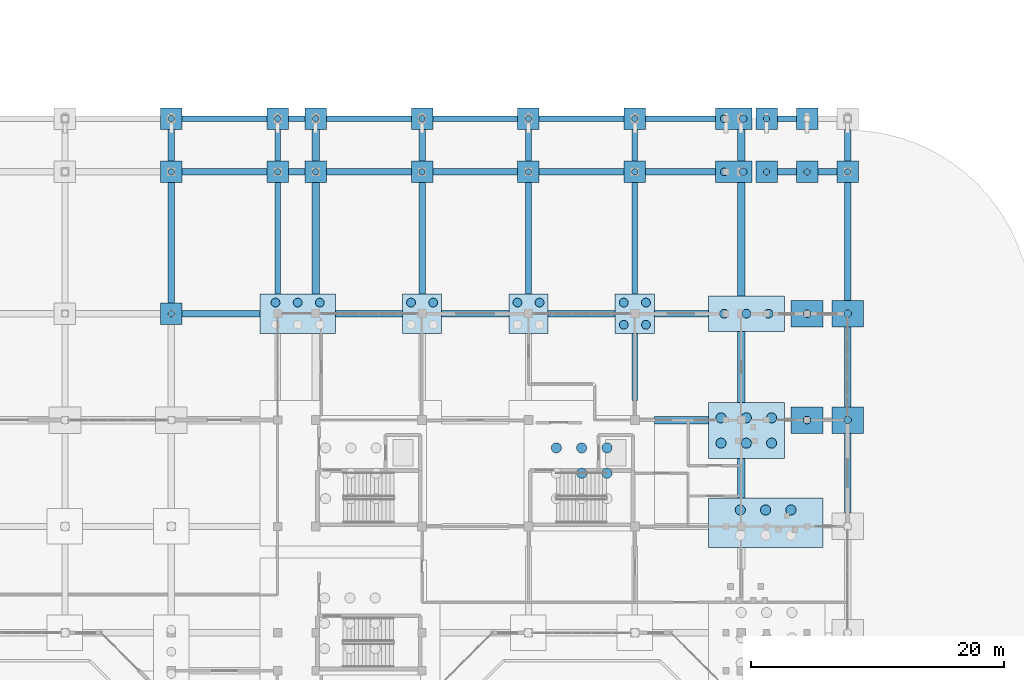
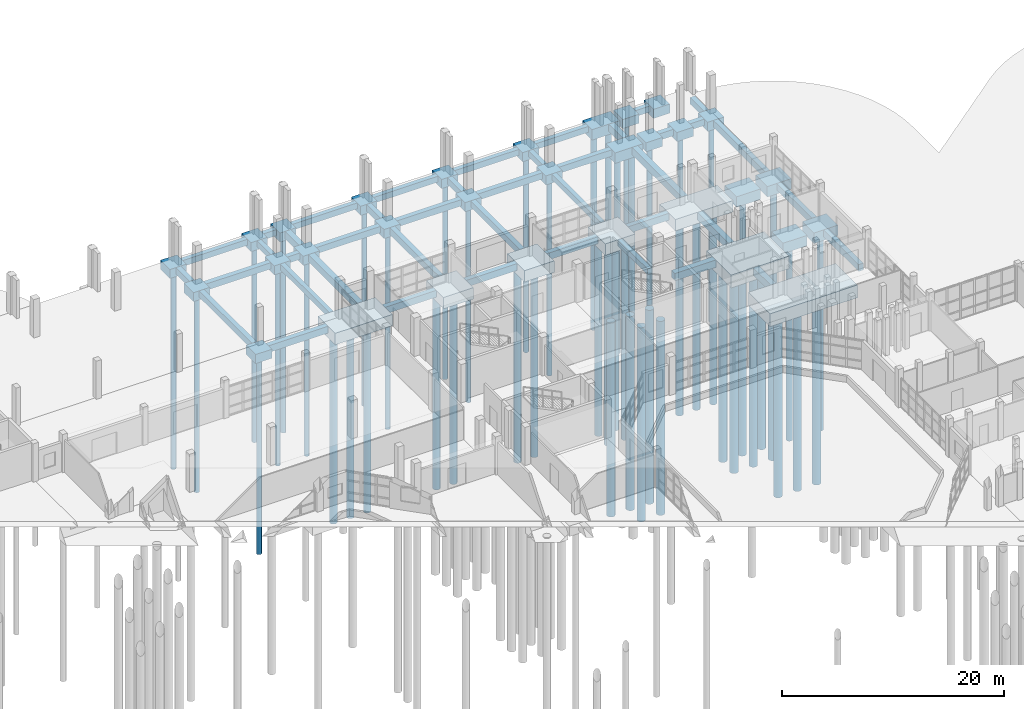
# One storey, part 7 of 88: 73 footings, 53 piles.
"""IFC4 building model written with IfcOpenShell, lengths in metres."""

from ifc_helpers import new_model, si_unit, direction, frame, origin, origin_2d, place, context, subcontext, project, spatial, rectangle, circle, extrude, material, material_profile, profile_set, type_object, element, save


model = new_model("IFC4")

# Units and contexts
model_context = context("Model", 3, precision=1e-05, world=origin(), true_north=direction((0.0, 1.0)))
body_context = subcontext(model_context, "Body", "Model", "MODEL_VIEW")
ifc_project = project(units=[si_unit("LENGTHUNIT", "METRE"), si_unit("AREAUNIT", "SQUARE_METRE"), si_unit("VOLUMEUNIT", "CUBIC_METRE"), si_unit("PLANEANGLEUNIT", "RADIAN"), si_unit("MASSUNIT", "GRAM", prefix="KILO")], contexts=[model_context])

# Site, building, storey
site_placement = place(None, origin())
site = spatial("IfcSite", under=ifc_project, at=site_placement, CompositionType="ELEMENT")
building_placement = place(site_placement, origin())
building = spatial("IfcBuilding", under=site, at=building_placement, Name="Vanh Quang Courtyard School", CompositionType="ELEMENT")
storey_placement = place(building_placement, origin())
storey = spatial("IfcBuildingStorey", under=building, at=storey_placement, Name="L00", CompositionType="ELEMENT", Elevation=0.0)

# Footings
ifc_material_1 = material(Name="Concrete C35/45", Category="concrete")
footing_type_1 = type_object("IfcFootingType", Name="FTG-GB-450x650", PredefinedType="FOOTING_BEAM", material=ifc_material_1)
footing_1_placement = place(storey_placement, frame((70.199951171875, 112.0, -1.050048828125), z_axis=(0.0, 0.0, 1.0), x_axis=(1.0, 0.0, 0.0)))
element("IfcFooting", 1, at=footing_1_placement, inside=storey, type_object=footing_type_1, Name="Footing GB-04 (L00)", PredefinedType="FOOTING_BEAM", context=body_context, shape_type="SweptSolid", body=[
    extrude(rectangle(XDim=6.699951171875, YDim=0.449951171875, at=origin_2d()), origin(), (0.0, 0.0, 1.0), 0.64990234375),
])
footing_2_placement = place(storey_placement, frame((75.89990234375, 112.0, -1.050048828125), z_axis=(0.0, 0.0, 1.0), x_axis=(1.0, 0.0, 0.0)))
element("IfcFooting", 2, at=footing_2_placement, inside=storey, type_object=footing_type_1, Name="Footing GB-04 (L00)", PredefinedType="FOOTING_BEAM", context=body_context, shape_type="SweptSolid", body=[
    extrude(rectangle(XDim=1.300048828125, YDim=0.449951171875, at=origin_2d()), origin(), (0.0, 0.0, 1.0), 0.64990234375),
])
for number, where, z_axis, x_axis, name in (
    (3, (81.60009765625, 112.0, -1.050048828125), (0.0, 0.0, 1.0), (1.0, 0.0, 0.0), "Footing GB-04 (L00)"),
    (4, (90.0, 112.0, -1.050048828125), (0.0, 0.0, 1.0), (1.0, 0.0, 0.0), "Footing GB-04 (L00)"),
    (5, (98.39990234375, 112.0, -1.050048828125), (0.0, 0.0, 1.0), (1.0, 0.0, 0.0), "Footing GB-04 (L00)"),
):
    element("IfcFooting", number, at=place(storey_placement, frame(where, z_axis=z_axis, x_axis=x_axis)), inside=storey, type_object=footing_type_1, Name=name, PredefinedType="FOOTING_BEAM", context=body_context, shape_type="SweptSolid", body=[
        extrude(rectangle(XDim=6.699951171875, YDim=0.449951171875, at=origin_2d()), origin(), (0.0, 0.0, 1.0), 0.64990234375),
    ])
footing_3_placement = place(storey_placement, frame((106.199951171875, 112.0, -1.050048828125), z_axis=(0.0, 0.0, 1.0), x_axis=(1.0, 0.0, 0.0)))
element("IfcFooting", 6, at=footing_3_placement, inside=storey, type_object=footing_type_1, Name="Footing GB-04 (L00)", PredefinedType="FOOTING_BEAM", context=body_context, shape_type="SweptSolid", body=[
    extrude(rectangle(XDim=5.5, YDim=0.449951171875, at=origin_2d()), origin(), (0.0, 0.0, 1.0), 0.64990234375),
])
footing_4_placement = place(storey_placement, frame((114.60009765625, 112.0, -1.050048828125), z_axis=(0.0, 0.0, 1.0), x_axis=(1.0, 0.0, 0.0)))
element("IfcFooting", 7, at=footing_4_placement, inside=storey, type_object=footing_type_1, Name="Footing GB-04 (L00)", PredefinedType="FOOTING_BEAM", context=body_context, shape_type="SweptSolid", body=[
    extrude(rectangle(XDim=1.5, YDim=0.449951171875, at=origin_2d()), origin(), (0.0, 0.0, 1.0), 0.64990234375),
])
footing_5_placement = place(storey_placement, frame((74.39990234375, 102.550048828125, -1.050048828125), z_axis=(0.0, 0.0, 1.0), x_axis=(0.0, 1.0, 0.0)))
element("IfcFooting", 8, at=footing_5_placement, inside=storey, type_object=footing_type_1, Name="Footing GB-04 (L00)", PredefinedType="FOOTING_BEAM", context=body_context, shape_type="SweptSolid", body=[
    extrude(rectangle(XDim=8.800048828125, YDim=0.449951171875, at=origin_2d()), origin(), (0.0, 0.0, 1.0), 0.64990234375),
])
footing_6_placement = place(storey_placement, frame((74.39990234375, 109.89990234375, -1.050048828125), z_axis=(0.0, 0.0, 1.0), x_axis=(0.0, 1.0, 0.0)))
element("IfcFooting", 9, at=footing_6_placement, inside=storey, type_object=footing_type_1, Name="Footing GB-04 (L00)", PredefinedType="FOOTING_BEAM", context=body_context, shape_type="SweptSolid", body=[
    extrude(rectangle(XDim=2.5, YDim=0.449951171875, at=origin_2d()), origin(), (0.0, 0.0, 1.0), 0.64990234375),
])
footing_7_placement = place(storey_placement, frame((102.60009765625, 92.39990234375, -1.050048828125), z_axis=(0.0, 0.0, 1.0), x_axis=(0.0, 1.0, 0.0)))
element("IfcFooting", 10, at=footing_7_placement, inside=storey, type_object=footing_type_1, Name="Footing GB-04 (L00)", PredefinedType="FOOTING_BEAM", context=body_context, shape_type="SweptSolid", body=[
    extrude(rectangle(XDim=5.300048828125, YDim=0.449951171875, at=origin_2d()), origin(), (0.0, 0.0, 1.0), 0.64990234375),
])
footing_8_placement = place(storey_placement, frame((102.60009765625, 102.550048828125, -1.050048828125), z_axis=(0.0, 0.0, 1.0), x_axis=(0.0, 1.0, 0.0)))
element("IfcFooting", 11, at=footing_8_placement, inside=storey, type_object=footing_type_1, Name="Footing GB-04 (L00)", PredefinedType="FOOTING_BEAM", context=body_context, shape_type="SweptSolid", body=[
    extrude(rectangle(XDim=8.800048828125, YDim=0.449951171875, at=origin_2d()), origin(), (0.0, 0.0, 1.0), 0.64990234375),
])
footing_9_placement = place(storey_placement, frame((102.60009765625, 109.89990234375, -1.050048828125), z_axis=(0.0, 0.0, 1.0), x_axis=(0.0, 1.0, 0.0)))
element("IfcFooting", 12, at=footing_9_placement, inside=storey, type_object=footing_type_1, Name="Footing GB-04 (L00)", PredefinedType="FOOTING_BEAM", context=body_context, shape_type="SweptSolid", body=[
    extrude(rectangle(XDim=2.5, YDim=0.449951171875, at=origin_2d()), origin(), (0.0, 0.0, 1.0), 0.64990234375),
])
footing_type_2 = type_object("IfcFootingType", Name="FTG-GB-500x700", PredefinedType="FOOTING_BEAM", material=ifc_material_1)
footing_10_placement = place(storey_placement, frame((70.199951171875, 107.800048828125, -1.10009765625), z_axis=(0.0, 0.0, 1.0), x_axis=(1.0, 0.0, 0.0)))
element("IfcFooting", 13, at=footing_10_placement, inside=storey, type_object=footing_type_2, Name="Footing GB-03 (L00)", PredefinedType="FOOTING_BEAM", context=body_context, shape_type="SweptSolid", body=[
    extrude(rectangle(XDim=6.699951171875, YDim=0.5, at=origin_2d()), origin(), (0.0, 0.0, 1.0), 0.699951171875),
])
footing_11_placement = place(storey_placement, frame((75.89990234375, 107.800048828125, -1.10009765625), z_axis=(0.0, 0.0, 1.0), x_axis=(1.0, 0.0, 0.0)))
element("IfcFooting", 14, at=footing_11_placement, inside=storey, type_object=footing_type_2, Name="Footing GB-03 (L00)", PredefinedType="FOOTING_BEAM", context=body_context, shape_type="SweptSolid", body=[
    extrude(rectangle(XDim=1.300048828125, YDim=0.5, at=origin_2d()), origin(), (0.0, 0.0, 1.0), 0.699951171875),
])
for number, where, z_axis, x_axis, name in (
    (15, (81.60009765625, 107.800048828125, -1.10009765625), (0.0, 0.0, 1.0), (1.0, 0.0, 0.0), "Footing GB-03 (L00)"),
    (16, (90.0, 107.800048828125, -1.10009765625), (0.0, 0.0, 1.0), (1.0, 0.0, 0.0), "Footing GB-03 (L00)"),
    (17, (98.39990234375, 107.800048828125, -1.10009765625), (0.0, 0.0, 1.0), (1.0, 0.0, 0.0), "Footing GB-03 (L00)"),
):
    element("IfcFooting", number, at=place(storey_placement, frame(where, z_axis=z_axis, x_axis=x_axis)), inside=storey, type_object=footing_type_2, Name=name, PredefinedType="FOOTING_BEAM", context=body_context, shape_type="SweptSolid", body=[
        extrude(rectangle(XDim=6.699951171875, YDim=0.5, at=origin_2d()), origin(), (0.0, 0.0, 1.0), 0.699951171875),
    ])
footing_12_placement = place(storey_placement, frame((106.199951171875, 107.800048828125, -1.10009765625), z_axis=(0.0, 0.0, 1.0), x_axis=(1.0, 0.0, 0.0)))
element("IfcFooting", 18, at=footing_12_placement, inside=storey, type_object=footing_type_2, Name="Footing GB-03 (L00)", PredefinedType="FOOTING_BEAM", context=body_context, shape_type="SweptSolid", body=[
    extrude(rectangle(XDim=5.5, YDim=0.5, at=origin_2d()), origin(), (0.0, 0.0, 1.0), 0.699951171875),
])
for number, where, z_axis, x_axis, name in (
    (19, (114.60009765625, 107.800048828125, -1.10009765625), (0.0, 0.0, 1.0), (1.0, 0.0, 0.0), "Footing GB-03 (L00)"),
    (20, (117.800048828125, 107.800048828125, -1.10009765625), (0.0, 0.0, 1.0), (1.0, 0.0, 0.0), "Footing GB-03 (L00)"),
):
    element("IfcFooting", number, at=place(storey_placement, frame(where, z_axis=z_axis, x_axis=x_axis)), inside=storey, type_object=footing_type_2, Name=name, PredefinedType="FOOTING_BEAM", context=body_context, shape_type="SweptSolid", body=[
        extrude(rectangle(XDim=1.5, YDim=0.5, at=origin_2d()), origin(), (0.0, 0.0, 1.0), 0.699951171875),
    ])
footing_13_placement = place(storey_placement, frame((66.0, 102.199951171875, -1.10009765625), z_axis=(0.0, 0.0, 1.0), x_axis=(0.0, 1.0, 0.0)))
element("IfcFooting", 21, at=footing_13_placement, inside=storey, type_object=footing_type_2, Name="Footing GB-03 (L00)", PredefinedType="FOOTING_BEAM", context=body_context, shape_type="SweptSolid", body=[
    extrude(rectangle(XDim=9.5, YDim=0.5, at=origin_2d()), origin(), (0.0, 0.0, 1.0), 0.699951171875),
])
footing_14_placement = place(storey_placement, frame((66.0, 109.89990234375, -1.10009765625), z_axis=(0.0, 0.0, 1.0), x_axis=(0.0, 1.0, 0.0)))
element("IfcFooting", 22, at=footing_14_placement, inside=storey, type_object=footing_type_2, Name="Footing GB-03 (L00)", PredefinedType="FOOTING_BEAM", context=body_context, shape_type="SweptSolid", body=[
    extrude(rectangle(XDim=2.5, YDim=0.5, at=origin_2d()), origin(), (0.0, 0.0, 1.0), 0.699951171875),
])
footing_15_placement = place(storey_placement, frame((94.199951171875, 102.550048828125, -1.10009765625), z_axis=(0.0, 0.0, 1.0), x_axis=(0.0, 1.0, 0.0)))
element("IfcFooting", 23, at=footing_15_placement, inside=storey, type_object=footing_type_2, Name="Footing GB-03 (L00)", PredefinedType="FOOTING_BEAM", context=body_context, shape_type="SweptSolid", body=[
    extrude(rectangle(XDim=8.800048828125, YDim=0.5, at=origin_2d()), origin(), (0.0, 0.0, 1.0), 0.699951171875),
])
footing_16_placement = place(storey_placement, frame((94.199951171875, 109.89990234375, -1.10009765625), z_axis=(0.0, 0.0, 1.0), x_axis=(0.0, 1.0, 0.0)))
element("IfcFooting", 24, at=footing_16_placement, inside=storey, type_object=footing_type_2, Name="Footing GB-03 (L00)", PredefinedType="FOOTING_BEAM", context=body_context, shape_type="SweptSolid", body=[
    extrude(rectangle(XDim=2.5, YDim=0.5, at=origin_2d()), origin(), (0.0, 0.0, 1.0), 0.699951171875),
])
footing_type_3 = type_object("IfcFootingType", Name="FTG-GB-500x750", PredefinedType="FOOTING_BEAM", material=ifc_material_1)
footing_17_placement = place(storey_placement, frame((69.925048828125, 96.60009765625, -1.14990234375), z_axis=(0.0, 0.0, 1.0), x_axis=(1.0, 0.0, 0.0)))
element("IfcFooting", 25, at=footing_17_placement, inside=storey, type_object=footing_type_3, Name="Footing GB-02 (L00)", PredefinedType="FOOTING_BEAM", context=body_context, shape_type="SweptSolid", body=[
    extrude(rectangle(XDim=6.14990234375, YDim=0.5, at=origin_2d()), origin(), (0.0, 0.0, 1.0), 0.75),
])
for number, where, z_axis, x_axis, name in (
    (26, (81.60009765625, 96.60009765625, -1.14990234375), (0.0, 0.0, 1.0), (1.0, 0.0, 0.0), "Footing GB-02 (L00)"),
    (27, (90.0, 96.60009765625, -1.14990234375), (0.0, 0.0, 1.0), (1.0, 0.0, 0.0), "Footing GB-02 (L00)"),
    (28, (98.39990234375, 96.60009765625, -1.14990234375), (0.0, 0.0, 1.0), (1.0, 0.0, 0.0), "Footing GB-02 (L00)"),
):
    element("IfcFooting", number, at=place(storey_placement, frame(where, z_axis=z_axis, x_axis=x_axis)), inside=storey, type_object=footing_type_3, Name=name, PredefinedType="FOOTING_BEAM", context=body_context, shape_type="SweptSolid", body=[
        extrude(rectangle(XDim=5.300048828125, YDim=0.5, at=origin_2d()), origin(), (0.0, 0.0, 1.0), 0.75),
    ])
footing_18_placement = place(storey_placement, frame((106.27490234375, 96.60009765625, -1.14990234375), z_axis=(0.0, 0.0, 1.0), x_axis=(1.0, 0.0, 0.0)))
element("IfcFooting", 29, at=footing_18_placement, inside=storey, type_object=footing_type_3, Name="Footing GB-02 (L00)", PredefinedType="FOOTING_BEAM", context=body_context, shape_type="SweptSolid", body=[
    extrude(rectangle(XDim=4.25, YDim=0.5, at=origin_2d()), origin(), (0.0, 0.0, 1.0), 0.75),
])
footing_19_placement = place(storey_placement, frame((85.800048828125, 102.550048828125, -1.14990234375), z_axis=(0.0, 0.0, 1.0), x_axis=(0.0, 1.0, 0.0)))
element("IfcFooting", 30, at=footing_19_placement, inside=storey, type_object=footing_type_3, Name="Footing GB-02 (L00)", PredefinedType="FOOTING_BEAM", context=body_context, shape_type="SweptSolid", body=[
    extrude(rectangle(XDim=8.800048828125, YDim=0.5, at=origin_2d()), origin(), (0.0, 0.0, 1.0), 0.75),
])
footing_20_placement = place(storey_placement, frame((85.800048828125, 109.89990234375, -1.14990234375), z_axis=(0.0, 0.0, 1.0), x_axis=(0.0, 1.0, 0.0)))
element("IfcFooting", 31, at=footing_20_placement, inside=storey, type_object=footing_type_3, Name="Footing GB-02 (L00)", PredefinedType="FOOTING_BEAM", context=body_context, shape_type="SweptSolid", body=[
    extrude(rectangle(XDim=2.5, YDim=0.5, at=origin_2d()), origin(), (0.0, 0.0, 1.0), 0.75),
])
for number, where, z_axis, x_axis, name in (
    (32, (119.39990234375, 84.0, -1.14990234375), (0.0, 0.0, 1.0), (0.0, 1.0, 0.0), "Footing GB-02 (L00)"),
    (33, (119.39990234375, 92.39990234375, -1.14990234375), (0.0, 0.0, 1.0), (0.0, 1.0, 0.0), "Footing GB-02 (L00)"),
):
    element("IfcFooting", number, at=place(storey_placement, frame(where, z_axis=z_axis, x_axis=x_axis)), inside=storey, type_object=footing_type_3, Name=name, PredefinedType="FOOTING_BEAM", context=body_context, shape_type="SweptSolid", body=[
        extrude(rectangle(XDim=6.300048828125, YDim=0.5, at=origin_2d()), origin(), (0.0, 0.0, 1.0), 0.75),
    ])
footing_21_placement = place(storey_placement, frame((119.39990234375, 102.300048828125, -1.14990234375), z_axis=(0.0, 0.0, 1.0), x_axis=(0.0, 1.0, 0.0)))
element("IfcFooting", 34, at=footing_21_placement, inside=storey, type_object=footing_type_3, Name="Footing GB-02 (L00)", PredefinedType="FOOTING_BEAM", context=body_context, shape_type="SweptSolid", body=[
    extrude(rectangle(XDim=9.300048828125, YDim=0.5, at=origin_2d()), origin(), (0.0, 0.0, 1.0), 0.75),
])
footing_22_placement = place(storey_placement, frame((119.39990234375, 109.89990234375, -1.14990234375), z_axis=(0.0, 0.0, 1.0), x_axis=(0.0, 1.0, 0.0)))
element("IfcFooting", 35, at=footing_22_placement, inside=storey, type_object=footing_type_3, Name="Footing GB-02 (L00)", PredefinedType="FOOTING_BEAM", context=body_context, shape_type="SweptSolid", body=[
    extrude(rectangle(XDim=2.5, YDim=0.5, at=origin_2d()), origin(), (0.0, 0.0, 1.0), 0.75),
])
footing_type_4 = type_object("IfcFootingType", Name="FTG-GB-600x800", PredefinedType="FOOTING_BEAM", material=ifc_material_1)
footing_23_placement = place(storey_placement, frame((106.27490234375, 88.199951171875, -1.2001953125), z_axis=(0.0, 0.0, 1.0), x_axis=(1.0, 0.0, 0.0)))
element("IfcFooting", 36, at=footing_23_placement, inside=storey, type_object=footing_type_4, Name="Footing GB-01 (L00)", PredefinedType="FOOTING_BEAM", context=body_context, shape_type="SweptSolid", body=[
    extrude(rectangle(XDim=4.25, YDim=0.60009765625, at=origin_2d()), origin(), (0.0, 0.0, 1.0), 0.800048828125),
])
footing_24_placement = place(storey_placement, frame((77.39990234375, 102.550048828125, -1.2001953125), z_axis=(0.0, 0.0, 1.0), x_axis=(0.0, 1.0, 0.0)))
element("IfcFooting", 37, at=footing_24_placement, inside=storey, type_object=footing_type_4, Name="Footing GB-01 (L00)", PredefinedType="FOOTING_BEAM", context=body_context, shape_type="SweptSolid", body=[
    extrude(rectangle(XDim=8.800048828125, YDim=0.60009765625, at=origin_2d()), origin(), (0.0, 0.0, 1.0), 0.800048828125),
])
footing_25_placement = place(storey_placement, frame((77.39990234375, 109.89990234375, -1.2001953125), z_axis=(0.0, 0.0, 1.0), x_axis=(0.0, 1.0, 0.0)))
element("IfcFooting", 38, at=footing_25_placement, inside=storey, type_object=footing_type_4, Name="Footing GB-01 (L00)", PredefinedType="FOOTING_BEAM", context=body_context, shape_type="SweptSolid", body=[
    extrude(rectangle(XDim=2.5, YDim=0.60009765625, at=origin_2d()), origin(), (0.0, 0.0, 1.0), 0.800048828125),
])
footing_26_placement = place(storey_placement, frame((111.0, 83.60009765625, -1.2001953125), z_axis=(0.0, 0.0, 1.0), x_axis=(0.0, 1.0, 0.0)))
element("IfcFooting", 39, at=footing_26_placement, inside=storey, type_object=footing_type_4, Name="Footing GB-01 (L00)", PredefinedType="FOOTING_BEAM", context=body_context, shape_type="SweptSolid", body=[
    extrude(rectangle(XDim=3.10009765625, YDim=0.60009765625, at=origin_2d()), origin(), (0.0, 0.0, 1.0), 0.800048828125),
])
footing_27_placement = place(storey_placement, frame((111.0, 92.39990234375, -1.2001953125), z_axis=(0.0, 0.0, 1.0), x_axis=(0.0, 1.0, 0.0)))
element("IfcFooting", 40, at=footing_27_placement, inside=storey, type_object=footing_type_4, Name="Footing GB-01 (L00)", PredefinedType="FOOTING_BEAM", context=body_context, shape_type="SweptSolid", body=[
    extrude(rectangle(XDim=5.60009765625, YDim=0.60009765625, at=origin_2d()), origin(), (0.0, 0.0, 1.0), 0.800048828125),
])
footing_28_placement = place(storey_placement, frame((111.0, 102.47509765625, -1.2001953125), z_axis=(0.0, 0.0, 1.0), x_axis=(0.0, 1.0, 0.0)))
element("IfcFooting", 41, at=footing_28_placement, inside=storey, type_object=footing_type_4, Name="Footing GB-01 (L00)", PredefinedType="FOOTING_BEAM", context=body_context, shape_type="SweptSolid", body=[
    extrude(rectangle(XDim=8.949951171875, YDim=0.60009765625, at=origin_2d()), origin(), (0.0, 0.0, 1.0), 0.800048828125),
])
footing_29_placement = place(storey_placement, frame((111.0, 109.89990234375, -1.2001953125), z_axis=(0.0, 0.0, 1.0), x_axis=(0.0, 1.0, 0.0)))
element("IfcFooting", 42, at=footing_29_placement, inside=storey, type_object=footing_type_4, Name="Footing GB-01 (L00)", PredefinedType="FOOTING_BEAM", context=body_context, shape_type="SweptSolid", body=[
    extrude(rectangle(XDim=2.5, YDim=0.60009765625, at=origin_2d()), origin(), (0.0, 0.0, 1.0), 0.800048828125),
])
footing_type_5 = type_object("IfcFootingType", Name="FTG-PC-01", PredefinedType="PILE_CAP", material=ifc_material_1)
for number, where, z_axis, x_axis, name in (
    (43, (66.0, 96.60009765625, -1.39990234375), (0.0, 0.0, 1.0), (1.0, 0.0, 0.0), "Footing PC-01 (L00)"),
    (44, (66.0, 107.800048828125, -1.39990234375), (0.0, 0.0, 1.0), (1.0, 0.0, 0.0), "Footing PC-01 (L00)"),
    (45, (74.39990234375, 107.800048828125, -1.39990234375), (0.0, 0.0, 1.0), (1.0, 0.0, 0.0), "Footing PC-01 (L00)"),
    (46, (77.39990234375, 107.800048828125, -1.39990234375), (0.0, 0.0, 1.0), (1.0, 0.0, 0.0), "Footing PC-01 (L00)"),
    (47, (85.800048828125, 107.800048828125, -1.39990234375), (0.0, 0.0, 1.0), (1.0, 0.0, 0.0), "Footing PC-01 (L00)"),
    (48, (94.199951171875, 107.800048828125, -1.39990234375), (0.0, 0.0, 1.0), (1.0, 0.0, 0.0), "Footing PC-01 (L00)"),
    (49, (102.60009765625, 107.800048828125, -1.39990234375), (0.0, 0.0, 1.0), (1.0, 0.0, 0.0), "Footing PC-01 (L00)"),
    (50, (113.0, 107.800048828125, -1.39990234375), (0.0, 0.0, 1.0), (1.0, 0.0, 0.0), "Footing PC-01 (L00)"),
    (51, (116.199951171875, 107.800048828125, -1.39990234375), (0.0, 0.0, 1.0), (1.0, 0.0, 0.0), "Footing PC-01 (L00)"),
    (52, (119.39990234375, 107.800048828125, -1.39990234375), (0.0, 0.0, 1.0), (1.0, 0.0, 0.0), "Footing PC-01 (L00)"),
    (53, (66.0, 112.0, -1.39990234375), (0.0, 0.0, 1.0), (1.0, 0.0, 0.0), "Footing PC-01 (L00)"),
    (54, (74.39990234375, 112.0, -1.39990234375), (0.0, 0.0, 1.0), (1.0, 0.0, 0.0), "Footing PC-01 (L00)"),
    (55, (77.39990234375, 112.0, -1.39990234375), (0.0, 0.0, 1.0), (1.0, 0.0, 0.0), "Footing PC-01 (L00)"),
    (56, (85.800048828125, 112.0, -1.39990234375), (0.0, 0.0, 1.0), (1.0, 0.0, 0.0), "Footing PC-01 (L00)"),
    (57, (94.199951171875, 112.0, -1.39990234375), (0.0, 0.0, 1.0), (1.0, 0.0, 0.0), "Footing PC-01 (L00)"),
    (58, (102.60009765625, 112.0, -1.39990234375), (0.0, 0.0, 1.0), (1.0, 0.0, 0.0), "Footing PC-01 (L00)"),
    (59, (113.0, 112.0, -1.39990234375), (0.0, 0.0, 1.0), (1.0, 0.0, 0.0), "Footing PC-01 (L00)"),
    (60, (116.199951171875, 112.0, -1.39990234375), (0.0, 0.0, 1.0), (1.0, 0.0, 0.0), "Footing PC-01 (L00)"),
):
    element("IfcFooting", number, at=place(storey_placement, frame(where, z_axis=z_axis, x_axis=x_axis)), inside=storey, type_object=footing_type_5, Name=name, PredefinedType="PILE_CAP", context=body_context, shape_type="SweptSolid", body=[
        extrude(rectangle(XDim=1.699951171875, YDim=1.699951171875, at=origin_2d()), origin(), (0.0, 0.0, 1.0), 1.0),
    ])
footing_type_6 = type_object("IfcFootingType", Name="FTG-PC-02", PredefinedType="PILE_CAP", material=ifc_material_1)
for number, where, z_axis, x_axis, name in (
    (61, (110.39990234375, 107.800048828125, -1.550048828125), (0.0, 0.0, 1.0), (1.0, 0.0, 0.0), "Footing PC-02 (L00)"),
    (62, (110.39990234375, 112.0, -1.550048828125), (0.0, 0.0, 1.0), (1.0, 0.0, 0.0), "Footing PC-02 (L00)"),
):
    element("IfcFooting", number, at=place(storey_placement, frame(where, z_axis=z_axis, x_axis=x_axis)), inside=storey, type_object=footing_type_6, Name=name, PredefinedType="PILE_CAP", context=body_context, shape_type="SweptSolid", body=[
        extrude(rectangle(XDim=2.89990234375, YDim=1.699951171875, at=origin_2d()), origin(), (0.0, 0.0, 1.0), 1.14990234375),
    ])
footing_type_7 = type_object("IfcFootingType", Name="FTG-PC-03", PredefinedType="PILE_CAP", material=ifc_material_1)
for number, where, z_axis, x_axis, name in (
    (63, (116.199951171875, 88.199951171875, -1.550048828125), (0.0, 0.0, 1.0), (1.0, 0.0, 0.0), "Footing PC-03 (L00)"),
    (64, (119.39990234375, 88.199951171875, -1.550048828125), (0.0, 0.0, 1.0), (1.0, 0.0, 0.0), "Footing PC-03 (L00)"),
    (65, (116.199951171875, 96.60009765625, -1.550048828125), (0.0, 0.0, 1.0), (1.0, 0.0, 0.0), "Footing PC-03 (L00)"),
    (66, (119.39990234375, 96.60009765625, -1.550048828125), (0.0, 0.0, 1.0), (1.0, 0.0, 0.0), "Footing PC-03 (L00)"),
):
    element("IfcFooting", number, at=place(storey_placement, frame(where, z_axis=z_axis, x_axis=x_axis)), inside=storey, type_object=footing_type_7, Name=name, PredefinedType="PILE_CAP", context=body_context, shape_type="SweptSolid", body=[
        extrude(rectangle(XDim=2.5, YDim=2.10009765625, at=origin_2d()), origin(), (0.0, 0.0, 1.0), 1.14990234375),
    ])
footing_type_8 = type_object("IfcFootingType", Name="FTG-PC-25", PredefinedType="PILE_CAP", material=ifc_material_1)
footing_30_placement = place(storey_placement, frame((112.925048828125, 80.10009765625, -1.800048828125), z_axis=(0.0, 0.0, 1.0), x_axis=(1.0, 0.0, 0.0)))
element("IfcFooting", 67, at=footing_30_placement, inside=storey, type_object=footing_type_8, Name="Footing PC-25 (L00)", PredefinedType="PILE_CAP", context=body_context, shape_type="SweptSolid", body=[
    extrude(rectangle(XDim=9.050048828125, YDim=3.89990234375, at=origin_2d()), origin(), (0.0, 0.0, 1.0), 1.39990234375),
])
footing_type_9 = type_object("IfcFootingType", Name="FTG-PC-28", PredefinedType="PILE_CAP", material=ifc_material_1)
footing_31_placement = place(storey_placement, frame((111.39990234375, 87.375, -1.800048828125), z_axis=(0.0, 0.0, 1.0), x_axis=(1.0, 0.0, 0.0)))
element("IfcFooting", 68, at=footing_31_placement, inside=storey, type_object=footing_type_9, Name="Footing PC-28 (L00)", PredefinedType="PILE_CAP", context=body_context, shape_type="SweptSolid", body=[
    extrude(rectangle(XDim=6.0, YDim=4.449951171875, at=origin_2d()), origin(), (0.0, 0.0, 1.0), 1.39990234375),
])
footing_type_10 = type_object("IfcFootingType", Name="FTG-PC-29", PredefinedType="PILE_CAP", material=ifc_material_1)
footing_32_placement = place(storey_placement, frame((75.97509765625, 96.60009765625, -1.64990234375), z_axis=(0.0, 0.0, 1.0), x_axis=(1.0, 0.0, 0.0)))
element("IfcFooting", 69, at=footing_32_placement, inside=storey, type_object=footing_type_10, Name="Footing PC-29 (L00)", PredefinedType="PILE_CAP", context=body_context, shape_type="SweptSolid", body=[
    extrude(rectangle(XDim=5.949951171875, YDim=3.10009765625, at=origin_2d()), origin(), (0.0, 0.0, 1.0), 1.25),
])
footing_type_11 = type_object("IfcFootingType", Name="FTG-PC-30", PredefinedType="PILE_CAP", material=ifc_material_1)
for number, where, z_axis, x_axis, name in (
    (70, (85.800048828125, 96.60009765625, -1.64990234375), (0.0, 0.0, 1.0), (1.0, 0.0, 0.0), "Footing PC-30 (L00)"),
    (71, (94.199951171875, 96.60009765625, -1.64990234375), (0.0, 0.0, 1.0), (1.0, 0.0, 0.0), "Footing PC-30 (L00)"),
    (72, (102.60009765625, 96.60009765625, -1.64990234375), (0.0, 0.0, 1.0), (1.0, 0.0, 0.0), "Footing PC-30 (L00)"),
):
    element("IfcFooting", number, at=place(storey_placement, frame(where, z_axis=z_axis, x_axis=x_axis)), inside=storey, type_object=footing_type_11, Name=name, PredefinedType="PILE_CAP", context=body_context, shape_type="SweptSolid", body=[
        extrude(rectangle(XDim=3.10009765625, YDim=3.10009765625, at=origin_2d()), origin(), (0.0, 0.0, 1.0), 1.25),
    ])
footing_type_12 = type_object("IfcFootingType", Name="FTG-PC-31", PredefinedType="PILE_CAP", material=ifc_material_1)
footing_33_placement = place(storey_placement, frame((111.39990234375, 96.60009765625, -1.64990234375), z_axis=(0.0, 0.0, 1.0), x_axis=(1.0, 0.0, 0.0)))
element("IfcFooting", 73, at=footing_33_placement, inside=storey, type_object=footing_type_12, Name="Footing PC-31 (L00)", PredefinedType="PILE_CAP", context=body_context, shape_type="SweptSolid", body=[
    extrude(rectangle(XDim=6.0, YDim=2.800048828125, at=origin_2d()), origin(), (0.0, 0.0, 1.0), 1.25),
])

# Piles
ifc_material_2 = material(Name="Concrete C30/37", Category="concrete")
ifc_material_profile_1 = material_profile(ifc_material_2, circle(Radius=0.25, at=origin_2d()), Name="PILE D500")
ifc_profile_set_1 = profile_set([ifc_material_profile_1], Name="Concrete C30/37")
pile_type_1 = type_object("IfcPileType", Name="PILE-BORED-500", PredefinedType="BORED", material=ifc_profile_set_1)
for number, where, z_axis, x_axis, name in (
    (74, (66.0, 96.60009765625, -1.300048828125), (0.0, 0.0, -1.0), (1.0, 0.0, 0.0), "Bored Pile BP-01 (L00)"),
    (75, (66.0, 107.800048828125, -1.300048828125), (0.0, 0.0, -1.0), (1.0, 0.0, 0.0), "Bored Pile BP-01 (L00)"),
    (76, (74.39990234375, 107.800048828125, -1.300048828125), (0.0, 0.0, -1.0), (1.0, 0.0, 0.0), "Bored Pile BP-01 (L00)"),
    (77, (77.39990234375, 107.800048828125, -1.300048828125), (0.0, 0.0, -1.0), (1.0, 0.0, 0.0), "Bored Pile BP-01 (L00)"),
    (78, (85.800048828125, 107.800048828125, -1.300048828125), (0.0, 0.0, -1.0), (1.0, 0.0, 0.0), "Bored Pile BP-01 (L00)"),
    (79, (94.199951171875, 107.800048828125, -1.300048828125), (0.0, 0.0, -1.0), (1.0, 0.0, 0.0), "Bored Pile BP-01 (L00)"),
    (80, (102.60009765625, 107.800048828125, -1.300048828125), (0.0, 0.0, -1.0), (1.0, 0.0, 0.0), "Bored Pile BP-01 (L00)"),
    (81, (113.0, 107.800048828125, -1.300048828125), (0.0, 0.0, -1.0), (1.0, 0.0, 0.0), "Bored Pile BP-01 (L00)"),
    (82, (116.199951171875, 107.800048828125, -1.300048828125), (0.0, 0.0, -1.0), (1.0, 0.0, 0.0), "Bored Pile BP-01 (L00)"),
    (83, (119.39990234375, 107.800048828125, -1.300048828125), (0.0, 0.0, -1.0), (1.0, 0.0, 0.0), "Bored Pile BP-01 (L00)"),
    (84, (66.0, 112.0, -1.300048828125), (0.0, 0.0, -1.0), (1.0, 0.0, 0.0), "Bored Pile BP-01 (L00)"),
    (85, (74.39990234375, 112.0, -1.300048828125), (0.0, 0.0, -1.0), (1.0, 0.0, 0.0), "Bored Pile BP-01 (L00)"),
    (86, (77.39990234375, 112.0, -1.300048828125), (0.0, 0.0, -1.0), (1.0, 0.0, 0.0), "Bored Pile BP-01 (L00)"),
    (87, (85.800048828125, 112.0, -1.300048828125), (0.0, 0.0, -1.0), (1.0, 0.0, 0.0), "Bored Pile BP-01 (L00)"),
    (88, (94.199951171875, 112.0, -1.300048828125), (0.0, 0.0, -1.0), (1.0, 0.0, 0.0), "Bored Pile BP-01 (L00)"),
    (89, (102.60009765625, 112.0, -1.300048828125), (0.0, 0.0, -1.0), (1.0, 0.0, 0.0), "Bored Pile BP-01 (L00)"),
    (90, (113.0, 112.0, -1.300048828125), (0.0, 0.0, -1.0), (1.0, 0.0, 0.0), "Bored Pile BP-01 (L00)"),
):
    element("IfcPile", number, at=place(storey_placement, frame(where, z_axis=z_axis, x_axis=x_axis)), inside=storey, type_object=pile_type_1, Name=name, PredefinedType="BORED", context=body_context, shape_type="SweptSolid", body=[
        extrude(circle(Radius=0.25, at=origin_2d()), origin(), (0.0, 0.0, 1.0), 21.699951171875),
    ])
ifc_material_profile_2 = material_profile(ifc_material_2, circle(Radius=0.300048828125, at=origin_2d()), Name="PILE D600")
ifc_profile_set_2 = profile_set([ifc_material_profile_2], Name="Concrete C30/37")
pile_type_2 = type_object("IfcPileType", Name="PILE-BORED-600", PredefinedType="BORED", material=ifc_profile_set_2)
for number, where, z_axis, x_axis, name in (
    (91, (116.199951171875, 88.199951171875, -1.449951171875), (0.0, 0.0, -1.0), (1.0, 0.0, 0.0), "Bored Pile BP-02 (L00)"),
    (92, (119.39990234375, 88.199951171875, -1.449951171875), (0.0, 0.0, -1.0), (1.0, 0.0, 0.0), "Bored Pile BP-02 (L00)"),
    (93, (116.199951171875, 96.60009765625, -1.449951171875), (0.0, 0.0, -1.0), (1.0, 0.0, 0.0), "Bored Pile BP-02 (L00)"),
    (94, (119.39990234375, 96.60009765625, -1.449951171875), (0.0, 0.0, -1.0), (1.0, 0.0, 0.0), "Bored Pile BP-02 (L00)"),
    (95, (109.64990234375, 107.800048828125, -1.449951171875), (0.0, 0.0, -1.0), (1.0, 0.0, 0.0), "Bored Pile BP-02 (L00)"),
    (96, (111.14990234375, 107.800048828125, -1.449951171875), (0.0, 0.0, -1.0), (1.0, 0.0, 0.0), "Bored Pile BP-02 (L00)"),
    (97, (109.64990234375, 112.0, -1.449951171875), (0.0, 0.0, -1.0), (1.0, 0.0, 0.0), "Bored Pile BP-02 (L00)"),
    (98, (111.14990234375, 112.0, -1.449951171875), (0.0, 0.0, -1.0), (1.0, 0.0, 0.0), "Bored Pile BP-02 (L00)"),
):
    element("IfcPile", number, at=place(storey_placement, frame(where, z_axis=z_axis, x_axis=x_axis)), inside=storey, type_object=pile_type_2, Name=name, PredefinedType="BORED", context=body_context, shape_type="SweptSolid", body=[
        extrude(circle(Radius=0.300048828125, at=origin_2d()), origin(), (0.0, 0.0, 1.0), 21.550048828125),
    ])
ifc_material_profile_3 = material_profile(ifc_material_2, circle(Radius=0.35009765625, at=origin_2d()), Name="PILE D700")
ifc_profile_set_3 = profile_set([ifc_material_profile_3], Name="Concrete C30/37")
pile_type_3 = type_object("IfcPileType", Name="PILE-BORED-700", PredefinedType="BORED", material=ifc_profile_set_3)
for number, where, z_axis, x_axis, name in (
    (99, (74.22509765625, 97.47509765625, -1.550048828125), (0.0, 0.0, -1.0), (1.0, 0.0, 0.0), "Bored Pile BP-03 (L00)"),
    (100, (75.97509765625, 97.47509765625, -1.550048828125), (0.0, 0.0, -1.0), (1.0, 0.0, 0.0), "Bored Pile BP-03 (L00)"),
    (101, (77.72509765625, 97.47509765625, -1.550048828125), (0.0, 0.0, -1.0), (1.0, 0.0, 0.0), "Bored Pile BP-03 (L00)"),
    (102, (84.925048828125, 97.47509765625, -1.550048828125), (0.0, 0.0, -1.0), (1.0, 0.0, 0.0), "Bored Pile BP-03 (L00)"),
    (103, (86.675048828125, 97.47509765625, -1.550048828125), (0.0, 0.0, -1.0), (1.0, 0.0, 0.0), "Bored Pile BP-03 (L00)"),
    (104, (93.324951171875, 97.47509765625, -1.550048828125), (0.0, 0.0, -1.0), (1.0, 0.0, 0.0), "Bored Pile BP-03 (L00)"),
    (105, (95.074951171875, 97.47509765625, -1.550048828125), (0.0, 0.0, -1.0), (1.0, 0.0, 0.0), "Bored Pile BP-03 (L00)"),
    (106, (101.72509765625, 95.72509765625, -1.550048828125), (0.0, 0.0, -1.0), (1.0, 0.0, 0.0), "Bored Pile BP-03 (L00)"),
    (107, (101.72509765625, 97.47509765625, -1.550048828125), (0.0, 0.0, -1.0), (1.0, 0.0, 0.0), "Bored Pile BP-03 (L00)"),
    (108, (103.47509765625, 95.72509765625, -1.550048828125), (0.0, 0.0, -1.0), (1.0, 0.0, 0.0), "Bored Pile BP-03 (L00)"),
    (109, (103.47509765625, 97.47509765625, -1.550048828125), (0.0, 0.0, -1.0), (1.0, 0.0, 0.0), "Bored Pile BP-03 (L00)"),
    (110, (109.64990234375, 96.60009765625, -1.550048828125), (0.0, 0.0, -1.0), (1.0, 0.0, 0.0), "Bored Pile BP-03 (L00)"),
    (111, (111.39990234375, 96.60009765625, -1.550048828125), (0.0, 0.0, -1.0), (1.0, 0.0, 0.0), "Bored Pile BP-03 (L00)"),
    (112, (113.14990234375, 96.60009765625, -1.550048828125), (0.0, 0.0, -1.0), (1.0, 0.0, 0.0), "Bored Pile BP-03 (L00)"),
):
    element("IfcPile", number, at=place(storey_placement, frame(where, z_axis=z_axis, x_axis=x_axis)), inside=storey, type_object=pile_type_3, Name=name, PredefinedType="BORED", context=body_context, shape_type="SweptSolid", body=[
        extrude(circle(Radius=0.35009765625, at=origin_2d()), origin(), (0.0, 0.0, 1.0), 21.449951171875),
    ])
ifc_material_profile_4 = material_profile(ifc_material_2, circle(Radius=0.39990234375, at=origin_2d()), Name="PILE D800")
ifc_profile_set_4 = profile_set([ifc_material_profile_4], Name="Concrete C30/37")
pile_type_4 = type_object("IfcPileType", Name="PILE-BORED-800", PredefinedType="BORED", material=ifc_profile_set_4)
for number, where, z_axis, x_axis, name in (
    (113, (110.925048828125, 81.10009765625, -1.699951171875), (0.0, 0.0, -1.0), (1.0, 0.0, 0.0), "Bored Pile BP-04 (L00)"),
    (114, (112.925048828125, 81.10009765625, -1.699951171875), (0.0, 0.0, -1.0), (1.0, 0.0, 0.0), "Bored Pile BP-04 (L00)"),
    (115, (114.925048828125, 81.10009765625, -1.699951171875), (0.0, 0.0, -1.0), (1.0, 0.0, 0.0), "Bored Pile BP-04 (L00)"),
    (116, (96.39990234375, 86.0, -1.699951171875), (0.0, 0.0, -1.0), (1.0, 0.0, 0.0), "Bored Pile BP-04 (L00)"),
    (117, (98.39990234375, 84.0, -1.699951171875), (0.0, 0.0, -1.0), (1.0, 0.0, 0.0), "Bored Pile BP-04 (L00)"),
    (118, (98.39990234375, 86.0, -1.699951171875), (0.0, 0.0, -1.0), (1.0, 0.0, 0.0), "Bored Pile BP-04 (L00)"),
    (119, (100.39990234375, 84.0, -1.699951171875), (0.0, 0.0, -1.0), (1.0, 0.0, 0.0), "Bored Pile BP-04 (L00)"),
    (120, (100.39990234375, 86.0, -1.699951171875), (0.0, 0.0, -1.0), (1.0, 0.0, 0.0), "Bored Pile BP-04 (L00)"),
    (121, (109.39990234375, 86.375, -1.699951171875), (0.0, 0.0, -1.0), (1.0, 0.0, 0.0), "Bored Pile BP-04 (L00)"),
    (122, (109.39990234375, 88.375, -1.699951171875), (0.0, 0.0, -1.0), (1.0, 0.0, 0.0), "Bored Pile BP-04 (L00)"),
    (123, (111.39990234375, 86.375, -1.699951171875), (0.0, 0.0, -1.0), (1.0, 0.0, 0.0), "Bored Pile BP-04 (L00)"),
    (124, (111.39990234375, 88.375, -1.699951171875), (0.0, 0.0, -1.0), (1.0, 0.0, 0.0), "Bored Pile BP-04 (L00)"),
    (125, (113.39990234375, 86.375, -1.699951171875), (0.0, 0.0, -1.0), (1.0, 0.0, 0.0), "Bored Pile BP-04 (L00)"),
    (126, (113.39990234375, 88.375, -1.699951171875), (0.0, 0.0, -1.0), (1.0, 0.0, 0.0), "Bored Pile BP-04 (L00)"),
):
    element("IfcPile", number, at=place(storey_placement, frame(where, z_axis=z_axis, x_axis=x_axis)), inside=storey, type_object=pile_type_4, Name=name, PredefinedType="BORED", context=body_context, shape_type="SweptSolid", body=[
        extrude(circle(Radius=0.39990234375, at=origin_2d()), origin(), (0.0, 0.0, 1.0), 21.300048828125),
    ])

save(model, "model.ifc")
